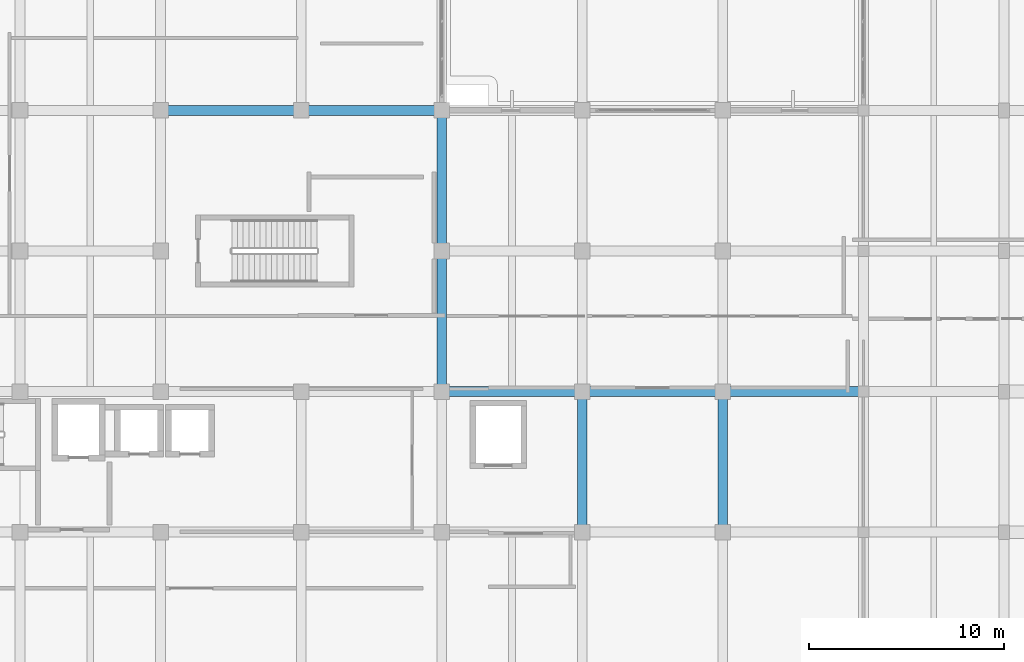
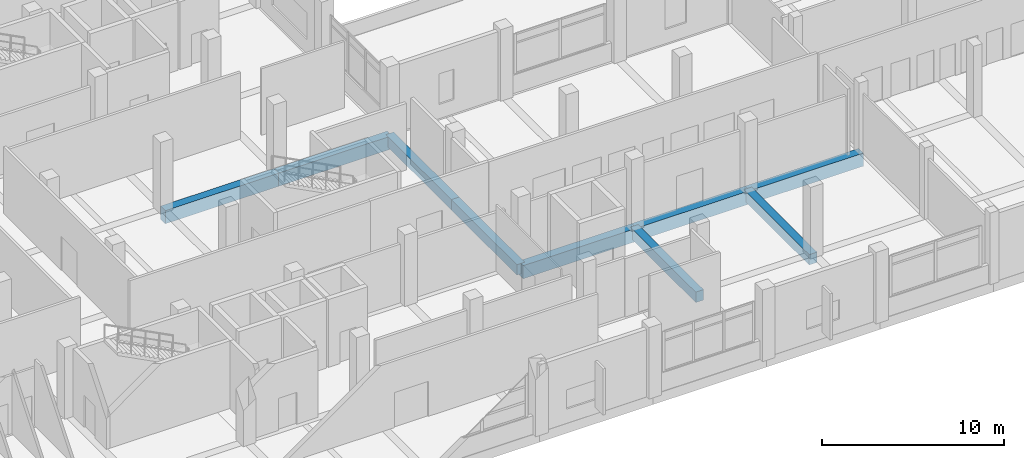
# One storey, part 39 of 140: 9 beams.
"""IFC4 building model written with IfcOpenShell, lengths in metres."""

from ifc_helpers import new_model, si_unit, direction, frame, origin, origin_2d, place, context, subcontext, project, spatial, rectangle, extrude, material, material_profile, profile_set, type_object, element, save


model = new_model("IFC4")

# Units and contexts
model_context = context("Model", 3, precision=1e-05, world=origin(), true_north=direction((0.0, 1.0)))
body_context = subcontext(model_context, "Body", "Model", "MODEL_VIEW")
ifc_project = project(units=[si_unit("LENGTHUNIT", "METRE"), si_unit("AREAUNIT", "SQUARE_METRE"), si_unit("VOLUMEUNIT", "CUBIC_METRE"), si_unit("PLANEANGLEUNIT", "RADIAN"), si_unit("MASSUNIT", "GRAM", prefix="KILO")], contexts=[model_context])

# Site, building, storey
site_placement = place(None, origin())
site = spatial("IfcSite", under=ifc_project, at=site_placement, CompositionType="ELEMENT")
building_placement = place(site_placement, origin())
building = spatial("IfcBuilding", under=site, at=building_placement, Name="Seraya Terrace Polytechnic", CompositionType="ELEMENT")
storey_placement = place(building_placement, frame((0.0, 0.0, 9.60009765625)))
storey = spatial("IfcBuildingStorey", under=building, at=storey_placement, Name="L02", CompositionType="ELEMENT", Elevation=9.60009765625)

# Beams
ifc_material = material(Name="Concrete C40/50", Category="concrete")
ifc_material_profile_1 = material_profile(ifc_material, rectangle(XDim=0.52001953125, YDim=0.8798828125, at=origin_2d()), Name="RC 520x880")
ifc_profile_set_1 = profile_set([ifc_material_profile_1], Name="Concrete C40/50")
beam_type_1 = type_object("IfcBeamType", Name="BM-04", PredefinedType="BEAM", material=ifc_profile_set_1)
for number, where, z_axis, x_axis, name in (
    (1, (108.0, 14.39990234375, -0.440185546875), (1.0, 0.0, 0.0), (0.0, 1.0, 0.0), "Beam BM-04 L02 X (108.0..115.2, 14.4)"),
    (2, (115.199951171875, 14.39990234375, -0.440185546875), (1.0, 0.0, 0.0), (0.0, 1.0, 0.0), "Beam BM-04 L02 X (115.2..122.4, 14.4)"),
):
    element("IfcBeam", number, at=place(storey_placement, frame(where, z_axis=z_axis, x_axis=x_axis)), inside=storey, type_object=beam_type_1, Name=name, PredefinedType="BEAM", context=body_context, shape_type="SweptSolid", body=[
        extrude(rectangle(XDim=0.52001953125, YDim=0.8798828125, at=origin_2d()), origin(), (0.0, 0.0, 1.0), 7.199951171875),
    ])
beam_1_placement = place(storey_placement, frame((122.39990234375, 14.39990234375, -0.440185546875), z_axis=(1.0, 0.0, 0.0), x_axis=(0.0, 1.0, 0.0)))
element("IfcBeam", 3, at=beam_1_placement, inside=storey, type_object=beam_type_1, Name="Beam BM-04 L02 X (122.4..129.6, 14.4)", PredefinedType="BEAM", context=body_context, shape_type="SweptSolid", body=[
    extrude(rectangle(XDim=0.52001953125, YDim=0.8798828125, at=origin_2d()), origin(), (0.0, 0.0, 1.0), 7.2001953125),
])
for number, where, z_axis, x_axis, name in (
    (4, (93.60009765625, 28.800048828125, -0.440185546875), (1.0, 0.0, 0.0), (0.0, 1.0, 0.0), "Beam BM-04 L02 X (93.6..100.8, 28.8)"),
    (5, (100.800048828125, 28.800048828125, -0.440185546875), (1.0, 0.0, 0.0), (0.0, 1.0, 0.0), "Beam BM-04 L02 X (100.8..108.0, 28.8)"),
):
    element("IfcBeam", number, at=place(storey_placement, frame(where, z_axis=z_axis, x_axis=x_axis)), inside=storey, type_object=beam_type_1, Name=name, PredefinedType="BEAM", context=body_context, shape_type="SweptSolid", body=[
        extrude(rectangle(XDim=0.52001953125, YDim=0.8798828125, at=origin_2d()), origin(), (0.0, 0.0, 1.0), 7.199951171875),
    ])
ifc_material_profile_2 = material_profile(ifc_material, rectangle(XDim=0.5, YDim=0.699951171875, at=origin_2d()), Name="RC 500x700")
ifc_profile_set_2 = profile_set([ifc_material_profile_2], Name="Concrete C40/50")
beam_type_2 = type_object("IfcBeamType", Name="BM-07", PredefinedType="BEAM", material=ifc_profile_set_2)
beam_2_placement = place(storey_placement, frame((108.0, 14.39990234375, -0.35009765625), z_axis=(0.0, 1.0, 0.0), x_axis=(-1.0, 0.0, 0.0)))
element("IfcBeam", 6, at=beam_2_placement, inside=storey, type_object=beam_type_2, Name="Beam BM-07 L02 Y (108.0, 14.4..21.6)", PredefinedType="BEAM", context=body_context, shape_type="SweptSolid", body=[
    extrude(rectangle(XDim=0.5, YDim=0.699951171875, at=origin_2d()), origin(), (0.0, 0.0, 1.0), 7.2001953125),
])
for number, where, z_axis, x_axis, name in (
    (7, (108.0, 21.60009765625, -0.35009765625), (0.0, 1.0, 0.0), (-1.0, 0.0, 0.0), "Beam BM-07 L02 Y (108.0, 21.6..28.8)"),
    (8, (115.199951171875, 7.199951171875, -0.35009765625), (0.0, 1.0, 0.0), (-1.0, 0.0, 0.0), "Beam BM-07 L02 Y (115.2, 7.2..14.4)"),
    (9, (122.39990234375, 7.199951171875, -0.35009765625), (0.0, 1.0, 0.0), (-1.0, 0.0, 0.0), "Beam BM-07 L02 Y (122.4, 7.2..14.4)"),
):
    element("IfcBeam", number, at=place(storey_placement, frame(where, z_axis=z_axis, x_axis=x_axis)), inside=storey, type_object=beam_type_2, Name=name, PredefinedType="BEAM", context=body_context, shape_type="SweptSolid", body=[
        extrude(rectangle(XDim=0.5, YDim=0.699951171875, at=origin_2d()), origin(), (0.0, 0.0, 1.0), 7.199951171875),
    ])

save(model, "model.ifc")
